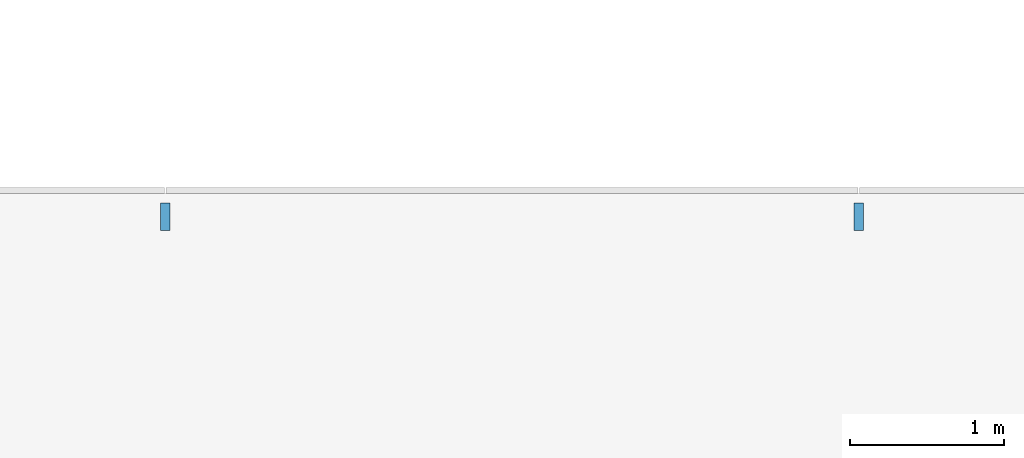
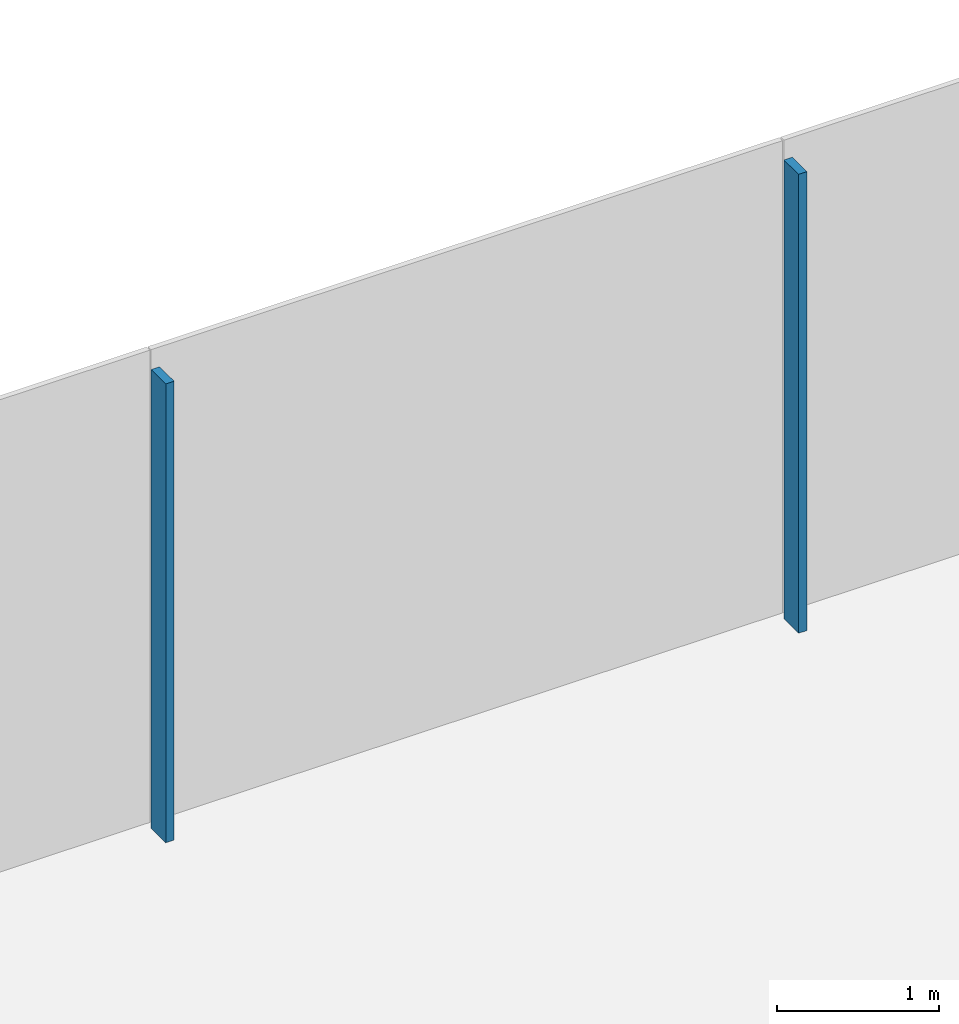
# One storey, part 5 of 20: 2 members, 1 element without a shape of its own.
"""IFC4 building model written with IfcOpenShell, lengths in metres."""

from ifc_helpers import new_model, si_unit, direction, frame, origin, origin_2d, place, context, subcontext, project, spatial, rectangle, extrude, material, layer, layer_set, material_profile, profile_set, type_object, element, aggregate, save


model = new_model("IFC4")

# Units and contexts
model_context = context("Model", 3, precision=1e-05, world=origin(), true_north=direction((0.0, 1.0)))
body_context = subcontext(model_context, "Body", "Model", "MODEL_VIEW")
ifc_project = project(units=[si_unit("LENGTHUNIT", "METRE"), si_unit("AREAUNIT", "SQUARE_METRE"), si_unit("VOLUMEUNIT", "CUBIC_METRE"), si_unit("PLANEANGLEUNIT", "RADIAN"), si_unit("MASSUNIT", "GRAM", prefix="KILO")], contexts=[model_context])

# Site, building, storey
site_placement = place(None, origin())
site = spatial("IfcSite", under=ifc_project, at=site_placement, CompositionType="ELEMENT")
building_placement = place(site_placement, origin())
building = spatial("IfcBuilding", under=site, at=building_placement, Name="Shamsa Quay Exchange Towers", CompositionType="ELEMENT")
storey_placement = place(building_placement, frame((0.0, 0.0, 120.89990234375)))
storey = spatial("IfcBuildingStorey", under=building, at=storey_placement, Name="L28", CompositionType="ELEMENT", Elevation=120.89990234375)

# Curtain wall, members
ifc_material = material(Name="Aluminium EN AW-6063 T6, black anodised", Category="aluminium")
ifc_layer = layer(ifc_material, 0.280029296875)
ifc_layer_set = layer_set([ifc_layer], Name="CW-1 UNITISED VISION GLASS")
curtain_wall_type = type_object("IfcCurtainWallType", Name="CW-1 UNITISED VISION GLASS", PredefinedType="NOTDEFINED", material=ifc_layer_set)
curtain_wall_placement = place(storey_placement, origin())
curtain_wall = element("IfcCurtainWall", 1, at=curtain_wall_placement, inside=storey, type_object=curtain_wall_type, Name="CW1 T1-END-V+ L28", PredefinedType="NOTDEFINED")
ifc_material_profile = material_profile(ifc_material, rectangle(XDim=0.179931640625, YDim=0.06005859375, at=origin_2d()), Name="MU60x180")
ifc_profile_set = profile_set([ifc_material_profile], Name="Aluminium EN AW-6063 T6, black anodised")
member_type = type_object("IfcMemberType", Name="CW1 MULLION 60x180", PredefinedType="MULLION", material=ifc_profile_set)
member_1_placement = place(storey_placement, frame((-31.5, 20.10009765625, 0.0), z_axis=(0.0, 0.0, 1.0), x_axis=(0.0, -1.0, 0.0)))
member_1 = element("IfcMember", 2, at=member_1_placement, type_object=member_type, Name="CW1 mullion", PredefinedType="MULLION", context=body_context, shape_type="SweptSolid", body=[
    extrude(rectangle(XDim=0.179931640625, YDim=0.06005859375, at=origin_2d()), origin(), (0.0, 0.0, 1.0), 3.4501953125),
])
member_2_placement = place(storey_placement, frame((-36.0, 20.10009765625, 0.0), z_axis=(0.0, 0.0, 1.0), x_axis=(0.0, -1.0, 0.0)))
member_2 = element("IfcMember", 3, at=member_2_placement, type_object=member_type, Name="CW1 mullion", PredefinedType="MULLION", context=body_context, shape_type="SweptSolid", body=[
    extrude(rectangle(XDim=0.179931640625, YDim=0.06005859375, at=origin_2d()), origin(), (0.0, 0.0, 1.0), 3.4501953125),
])
aggregate(curtain_wall, [member_1, member_2])

save(model, "model.ifc")
